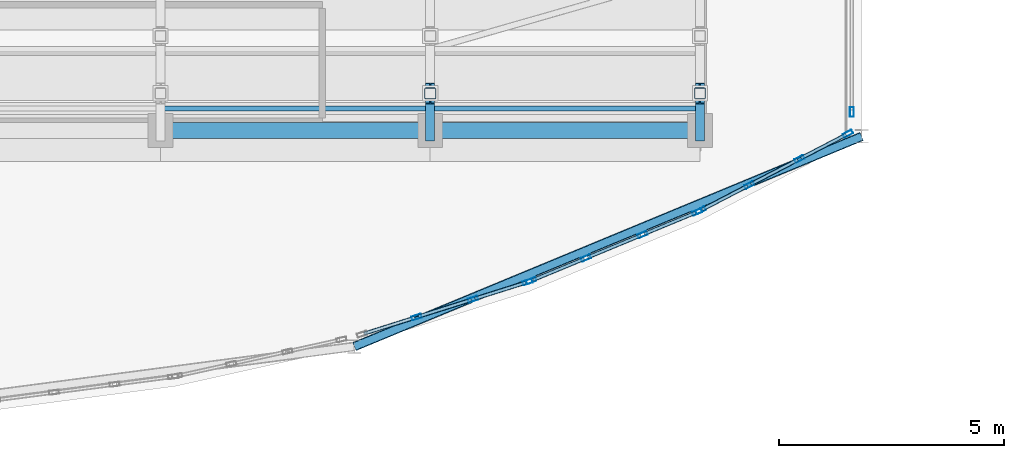
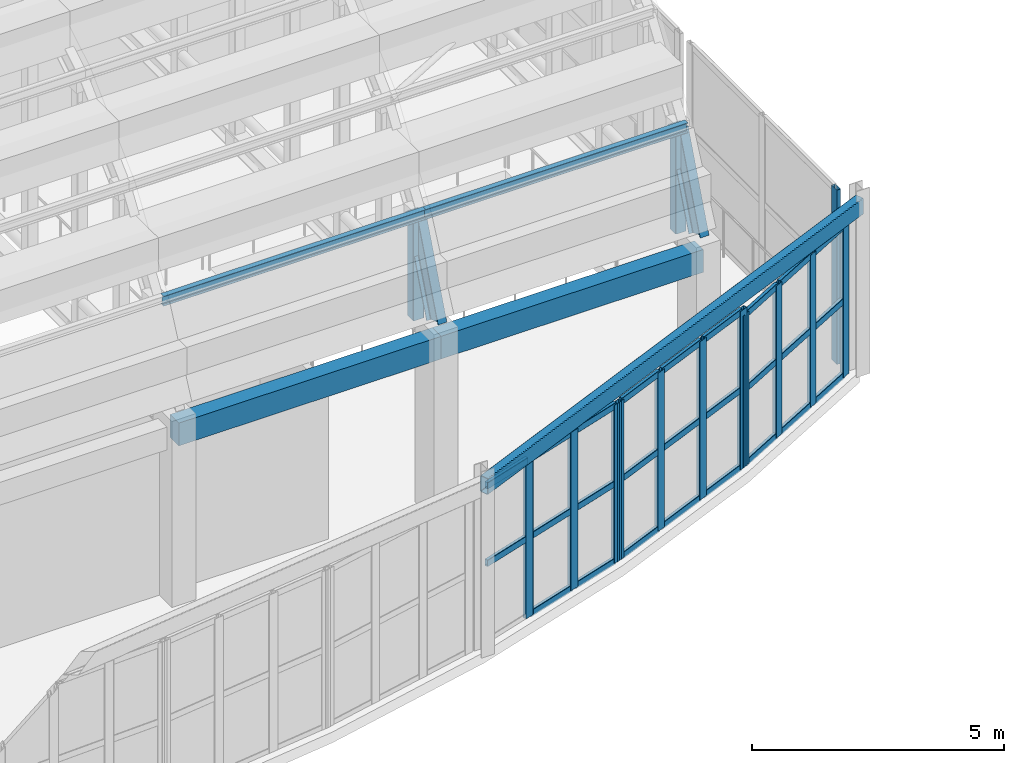
# One storey, part 11 of 91: 42 members, 5 beams, 4 elements without a shape of their own.
"""IFC4 building model written with IfcOpenShell, lengths in metres."""

import ifcopenshell
import ifcopenshell.guid

model = None  # the IFC model being written
_history = None  # IfcOwnerHistory: only IFC2X3 demands one
_inside = {}  # id of a spatial element -> (the spatial element, [elements in it])
_under = {}  # id of a project, library or spatial element -> (it, [spatial elements below it])
_declared = {}  # id of a project -> (the project, [libraries it declares])
_typed = {}  # id of a type object -> (the type object, [elements of that type])
_made_of = {}  # id of a material, layer set ... -> (it, [elements and type objects made of it])


def new_model(schema):
    """Start an empty IFC model of exactly this schema.

    Asked for "IFC4X3", IfcOpenShell would pick the latest addendum, in which some entities
    have other attributes; the version numbers below select the first issue.
    IFC2X3 requires an IfcOwnerHistory on every rooted entity: one is made here for all.
    """
    global model, _history
    if schema == "IFC4X3":
        model = ifcopenshell.file(schema_version=(4, 3, 0, 0))
    else:
        model = ifcopenshell.file(schema=schema)
    _inside.clear()
    _under.clear()
    _declared.clear()
    _typed.clear()
    _made_of.clear()
    _history = None
    if model.schema == "IFC2X3":
        org = make("IfcOrganization", Name="unknown")
        user = make(
            "IfcPersonAndOrganization",
            ThePerson=make("IfcPerson", FamilyName="unknown"),
            TheOrganization=org,
        )
        app = make(
            "IfcApplication",
            ApplicationDeveloper=org,
            Version="unknown",
            ApplicationFullName="unknown",
            ApplicationIdentifier="unknown",
        )
        _history = make(
            "IfcOwnerHistory",
            OwningUser=user,
            OwningApplication=app,
            ChangeAction="ADDED",
            CreationDate=0,
        )
    return model


def make(cls, **values):
    """One entity of the class cls with the attributes given. An attribute that is None is left unset."""
    return model.create_entity(
        cls, **{name: value for name, value in values.items() if value is not None}
    )


def rooted(cls, **values):
    """An entity with a GlobalId (a new one), such as an element, a storey or a relation."""
    return make(cls, GlobalId=ifcopenshell.guid.new(), OwnerHistory=_history, **values)


def si_unit(unit_type, name, prefix=None):
    """IfcSIUnit, for example si_unit("LENGTHUNIT", "METRE", prefix="MILLI")."""
    return make("IfcSIUnit", UnitType=unit_type, Prefix=prefix, Name=name)


def assignment(units):
    """IfcUnitAssignment: the units of a project."""
    return None if units is None else make("IfcUnitAssignment", Units=units)


def point(xyz):
    """IfcCartesianPoint."""
    return None if xyz is None else make("IfcCartesianPoint", Coordinates=xyz)


def direction(xyz):
    """IfcDirection."""
    return None if xyz is None else make("IfcDirection", DirectionRatios=xyz)


def frame(location, z_axis=None, x_axis=None):
    """IfcAxis2Placement3D, a coordinate frame: its origin and axes. An axis left out is left unset."""
    return make(
        "IfcAxis2Placement3D",
        Location=point(location),
        Axis=direction(z_axis),
        RefDirection=direction(x_axis),
    )


def frame_2d(location, x_axis=None):
    """IfcAxis2Placement2D, a coordinate frame in the plane: its origin and x axis."""
    return make(
        "IfcAxis2Placement2D", Location=point(location), RefDirection=direction(x_axis)
    )


def origin():
    """The frame at (0, 0, 0) with its axes left unset."""
    return frame((0.0, 0.0, 0.0))


def origin_2d():
    """The frame at (0, 0) in the plane with its x axis left unset."""
    return frame_2d((0.0, 0.0))


def place(relative_to, where):
    """IfcLocalPlacement: puts the frame where relative to a parent placement (None: the world)."""
    return make(
        "IfcLocalPlacement", PlacementRelTo=relative_to, RelativePlacement=where
    )


def context(
    kind, dimensions, precision=None, world=None, true_north=None, identifier=None
):
    """IfcGeometricRepresentationContext, for example the 3D "Model" context."""
    return make(
        "IfcGeometricRepresentationContext",
        ContextIdentifier=identifier,
        ContextType=kind,
        CoordinateSpaceDimension=dimensions,
        Precision=precision,
        WorldCoordinateSystem=world,
        TrueNorth=true_north,
    )


def subcontext(parent, identifier, kind, view, scale=None):
    """IfcGeometricRepresentationSubContext, for example "Body" below "Model"."""
    return make(
        "IfcGeometricRepresentationSubContext",
        ContextIdentifier=identifier,
        ContextType=kind,
        ParentContext=parent,
        TargetScale=scale,
        TargetView=view,
    )


def project(units=None, contexts=None):
    """IfcProject with its units and contexts."""
    return rooted(
        "IfcProject",
        Name="project",
        RepresentationContexts=contexts,
        UnitsInContext=assignment(units),
    )


def spatial(cls, under=None, at=None, **own):
    """A site, building, storey or space (cls), placed at a placement, below another one or the project."""
    s = rooted(cls, ObjectPlacement=at, **own)
    if under is not None:
        _under.setdefault(under.id(), (under, []))[1].append(s)
    return s


def profile(cls, at=None, kind="AREA", **sizes):
    """A parametric profile (cls). Its sizes go by their IFC names, for example OverallWidth=200.0."""
    return make(cls, ProfileType=kind, Position=at, **sizes)


def rectangle(**sizes):
    """IfcRectangleProfileDef."""
    return profile("IfcRectangleProfileDef", **sizes)


def hollow_rectangle(**sizes):
    """IfcRectangleHollowProfileDef."""
    return profile("IfcRectangleHollowProfileDef", **sizes)


def i_section(**sizes):
    """IfcIShapeProfileDef."""
    return profile("IfcIShapeProfileDef", **sizes)


def extrude(swept, where, along, depth):
    """IfcExtrudedAreaSolid: the profile swept, set in the frame where, extruded along a direction by depth."""
    return make(
        "IfcExtrudedAreaSolid",
        SweptArea=swept,
        Position=where,
        ExtrudedDirection=direction(along),
        Depth=depth,
    )


def shape(context_of_items, identifier, shape_type, items):
    """IfcShapeRepresentation: the items that make up one representation, for example the "Body"."""
    return make(
        "IfcShapeRepresentation",
        ContextOfItems=context_of_items,
        RepresentationIdentifier=identifier,
        RepresentationType=shape_type,
        Items=items,
    )


def material(Name=None, Category=None):
    """IfcMaterial."""
    return make("IfcMaterial", Name=Name, Category=Category)


def layer(
    of_material, thickness, ventilated=None, Name=None, Category=None, Priority=None
):
    """IfcMaterialLayer: one layer of a wall or slab, of a material (None: an air gap)."""
    return make(
        "IfcMaterialLayer",
        Material=of_material,
        LayerThickness=thickness,
        IsVentilated=ventilated,
        Name=Name,
        Category=Category,
        Priority=Priority,
    )


def layer_set(layers, Name=None):
    """IfcMaterialLayerSet."""
    return make("IfcMaterialLayerSet", MaterialLayers=layers, LayerSetName=Name)


def material_profile(
    of_material, cross_section, Name=None, Category=None, Priority=None
):
    """IfcMaterialProfile: a cross section and its material."""
    return make(
        "IfcMaterialProfile",
        Name=Name,
        Material=of_material,
        Profile=cross_section,
        Priority=Priority,
        Category=Category,
    )


def profile_set(profiles, Name=None, composite=None):
    """IfcMaterialProfileSet."""
    return make(
        "IfcMaterialProfileSet",
        Name=Name,
        MaterialProfiles=profiles,
        CompositeProfile=composite,
    )


def made_of(thing, what):
    """Note that an element or type object is made of a material, layer set ...; save() writes the relation."""
    if what is not None:
        _made_of.setdefault(what.id(), (what, []))[1].append(thing)
    return thing


def type_object(cls, material=None, **own):
    """A type object (cls), such as IfcWallType, which elements share."""
    return made_of(rooted(cls, **own), material)


def element(
    cls,
    number,
    at=None,
    inside=None,
    cuts=None,
    type_object=None,
    material=None,
    context=None,
    identifier="Body",
    shape_type=None,
    held_by="IfcProductDefinitionShape",
    body=None,
    shapes=None,
    **own,
):
    """One element of the class cls, such as IfcWall. Its Tag is "e" and its number.

    at: its placement. inside: the storey or other place that contains it. cuts: it is an
    opening in that element (IfcRelVoidsElement). A single representation is given by context,
    identifier, shape_type and body (its items); several are given by shapes. held_by: the class
    of the entity that holds the representations. save() writes the other relations.
    """
    e = rooted(cls, Tag="e%d" % number, ObjectPlacement=at, **own)
    if body is not None:
        shapes = [shape(context, identifier, shape_type, body)]
    if shapes is not None:
        e.Representation = make(held_by, Representations=shapes)
    if inside is not None:
        _inside.setdefault(inside.id(), (inside, []))[1].append(e)
    if cuts is not None:
        rooted(
            "IfcRelVoidsElement", RelatingBuildingElement=cuts, RelatedOpeningElement=e
        )
    if type_object is not None:
        _typed.setdefault(type_object.id(), (type_object, []))[1].append(e)
    return made_of(e, material)


def aggregate(whole, parts):
    """IfcRelAggregates: a whole, such as a stair, and the parts it consists of."""
    return rooted("IfcRelAggregates", RelatingObject=whole, RelatedObjects=parts)


def save(model, path):
    """Write the relations noted so far, then the file.

    IfcRelAggregates (storeys below a building ...), IfcRelContainedInSpatialStructure (elements
    in a storey), IfcRelDefinesByType, IfcRelAssociatesMaterial and IfcRelDeclares: one each for
    every whole, place, type object, material and project.
    """
    for whole, parts in _under.values():
        aggregate(whole, parts)
    for where, things in _inside.values():
        rooted(
            "IfcRelContainedInSpatialStructure",
            RelatedElements=things,
            RelatingStructure=where,
        )
    for kind, things in _typed.values():
        rooted("IfcRelDefinesByType", RelatedObjects=things, RelatingType=kind)
    for what, things in _made_of.values():
        rooted("IfcRelAssociatesMaterial", RelatedObjects=things, RelatingMaterial=what)
    for by, libraries in _declared.values():
        rooted("IfcRelDeclares", RelatingContext=by, RelatedDefinitions=libraries)
    model.write(path)


model = new_model("IFC4")

# Units and contexts
model_context = context("Model", 3, precision=1e-05, world=origin(), true_north=direction((0.0, 1.0)))
body_context = subcontext(model_context, "Body", "Model", "MODEL_VIEW")
ifc_project = project(units=[si_unit("LENGTHUNIT", "METRE"), si_unit("AREAUNIT", "SQUARE_METRE"), si_unit("VOLUMEUNIT", "CUBIC_METRE"), si_unit("PLANEANGLEUNIT", "RADIAN"), si_unit("MASSUNIT", "GRAM", prefix="KILO")], contexts=[model_context])

# Site, building, storey
site_placement = place(None, origin())
site = spatial("IfcSite", under=ifc_project, at=site_placement, CompositionType="ELEMENT")
building_placement = place(site_placement, origin())
building = spatial("IfcBuilding", under=site, at=building_placement, Name="Tarnavel Promenade Courthouse", CompositionType="ELEMENT")
storey_placement = place(building_placement, frame((0.0, 0.0, 9.89990234375)))
storey = spatial("IfcBuildingStorey", under=building, at=storey_placement, Name="L03", CompositionType="ELEMENT", Elevation=9.89990234375)

# Beams
ifc_material_1 = material(Name="Concrete C40/50", Category="concrete")
ifc_material_profile_1 = material_profile(ifc_material_1, rectangle(XDim=0.35009765625, YDim=0.550048828125, at=origin_2d()), Name="RC 350x550")
ifc_profile_set_1 = profile_set([ifc_material_profile_1], Name="Concrete C40/50")
beam_type_1 = type_object("IfcBeamType", Name="Concrete C40/50 BM-RC-350x550 (RC 350x550)", PredefinedType="BEAM", material=ifc_profile_set_1)
for number, where, z_axis, x_axis, name in (
    (1, (39.60009765625, 14.800048828125, 3.97021484375), (1.0, 0.0, 0.0), (0.0, 1.0, 0.0), "L03 Primary Longitudinal Beam 1538"),
    (2, (45.60009765625, 14.800048828125, 3.97021484375), (1.0, 0.0, 0.0), (0.0, 1.0, 0.0), "L03 Primary Longitudinal Beam 1539"),
):
    element("IfcBeam", number, at=place(storey_placement, frame(where, z_axis=z_axis, x_axis=x_axis)), inside=storey, type_object=beam_type_1, Name=name, PredefinedType="BEAM", context=body_context, shape_type="SweptSolid", body=[
        extrude(rectangle(XDim=0.35009765625, YDim=0.550048828125, at=origin_2d()), origin(), (0.0, 0.0, 1.0), 6.0),
    ])
ifc_material_2 = material(Name="Steel S355J2", Category="steel")
ifc_material_profile_2 = material_profile(ifc_material_2, i_section(OverallWidth=0.199951171875, OverallDepth=0.5, WebThickness=0.01025390625, FlangeThickness=0.01611328125, FilletRadius=0.02099609375, at=origin_2d()), Name="IPE 500")
ifc_profile_set_2 = profile_set([ifc_material_profile_2], Name="Steel S355J2")
beam_type_2 = type_object("IfcBeamType", Name="Steel S355J2 BM-AR-IPE500 (IPE 500)", PredefinedType="T_BEAM", material=ifc_profile_set_2)
for number, where, z_axis, x_axis, name in (
    (3, (45.60009765625, 14.800048828125, 4.5), (0.0, 0.359973594692, 0.93296249181), (-1.0, 0.0, 0.0), "V4 Barrel Vault Arch Rib 07 Chord 01"),
    (4, (51.60009765625, 14.800048828125, 4.5), (0.0, 0.359973594692, 0.93296249181), (-1.0, 0.0, 0.0), "V4 Barrel Vault Arch Rib 08 Chord 01"),
):
    element("IfcBeam", number, at=place(storey_placement, frame(where, z_axis=z_axis, x_axis=x_axis)), inside=storey, type_object=beam_type_2, Name=name, PredefinedType="T_BEAM", context=body_context, shape_type="SweptSolid", body=[
        extrude(i_section(OverallWidth=0.199951171875, OverallDepth=0.5, WebThickness=0.01025390625, FlangeThickness=0.01611328125, FilletRadius=0.02099609375, at=origin_2d()), origin(), (0.0, 0.0, 1.0), 2.302490234375),
    ])
ifc_material_profile_3 = material_profile(ifc_material_2, hollow_rectangle(XDim=0.199951171875, YDim=0.39990234375, WallThickness=0.01416015625, InnerFilletRadius=0.013916015625, OuterFilletRadius=0.028076171875, at=origin_2d()), Name="RHS 400x200x14.2")
ifc_profile_set_3 = profile_set([ifc_material_profile_3], Name="Steel S355J2")
beam_type_3 = type_object("IfcBeamType", Name="Steel S355J2 BM-ST-RHS400 (RHS 400x200x14.2)", PredefinedType="SPANDREL", material=ifc_profile_set_3)
beam_placement = place(storey_placement, frame((43.91259765625, 9.99462890625, 4.045166015625), z_axis=(0.923881903753, 0.38267770763, 0.0), x_axis=(-0.38267770763, 0.923881903753, 0.0)))
element("IfcBeam", 5, at=beam_placement, inside=storey, type_object=beam_type_3, Name="L03 Public Drum Ring Beam 1979", PredefinedType="SPANDREL", context=body_context, shape_type="SweptSolid", body=[
    extrude(hollow_rectangle(XDim=0.199951171875, YDim=0.39990234375, WallThickness=0.01416015625, InnerFilletRadius=0.013916015625, OuterFilletRadius=0.028076171875, at=origin_2d()), origin(), (0.0, 0.0, 1.0), 12.21728515625),
])

# Members
ifc_material_profile_4 = material_profile(ifc_material_2, i_section(OverallWidth=0.1201171875, OverallDepth=0.239990234375, WebThickness=0.006103515625, FlangeThickness=0.009765625, FilletRadius=0.014892578125, at=origin_2d()), Name="IPE 240")
ifc_profile_set_4 = profile_set([ifc_material_profile_4], Name="Steel S355J2")
member_type_1 = type_object("IfcMemberType", Name="Steel S355J2 MEM-PUR-IPE240 (IPE 240)", PredefinedType="PURLIN", material=ifc_profile_set_4)
for number, where, z_axis, x_axis, name in (
    (6, (39.60009765625, 15.291259765625, 6.822998046875), (1.0, 0.0, 0.0), (0.0, 1.0, 0.0), "V4 Barrel Vault Purlin 06-01"),
    (7, (45.60009765625, 15.291259765625, 6.822998046875), (1.0, 0.0, 0.0), (0.0, 1.0, 0.0), "V4 Barrel Vault Purlin 07-01"),
):
    element("IfcMember", number, at=place(storey_placement, frame(where, z_axis=z_axis, x_axis=x_axis)), inside=storey, type_object=member_type_1, Name=name, PredefinedType="PURLIN", context=body_context, shape_type="SweptSolid", body=[
        extrude(i_section(OverallWidth=0.1201171875, OverallDepth=0.239990234375, WebThickness=0.006103515625, FlangeThickness=0.009765625, FilletRadius=0.014892578125, at=origin_2d()), origin(), (0.0, 0.0, 1.0), 6.0),
    ])
ifc_material_profile_5 = material_profile(ifc_material_2, hollow_rectangle(XDim=0.25, YDim=0.25, WallThickness=0.012451171875, InnerFilletRadius=0.012451171875, OuterFilletRadius=0.02490234375, at=origin_2d()), Name="SHS 250x250x12.5")
ifc_profile_set_5 = profile_set([ifc_material_profile_5], Name="Steel S355J2")
member_type_2 = type_object("IfcMemberType", Name="Steel S355J2 MEM-STR-SHS250 (SHS 250x250x12.5)", PredefinedType="STRUT", material=ifc_profile_set_5)
for number, where, z_axis, x_axis, name in (
    (8, (45.60009765625, 15.62890625, 4.1201171875), (0.0, 0.0, 1.0), (1.0, 0.0, 0.0), "V4 Vault Arch Web Strut 07-01"),
    (9, (51.60009765625, 15.62890625, 4.1201171875), (0.0, 0.0, 1.0), (1.0, 0.0, 0.0), "V4 Vault Arch Web Strut 08-01"),
):
    element("IfcMember", number, at=place(storey_placement, frame(where, z_axis=z_axis, x_axis=x_axis)), inside=storey, type_object=member_type_2, Name=name, PredefinedType="STRUT", context=body_context, shape_type="SweptSolid", body=[
        extrude(hollow_rectangle(XDim=0.25, YDim=0.25, WallThickness=0.012451171875, InnerFilletRadius=0.012451171875, OuterFilletRadius=0.02490234375, at=origin_2d()), origin(), (0.0, 0.0, 1.0), 2.528076171875),
    ])

# Curtain wall, members
ifc_material_3 = material(Name="Thermally Broken Anodised Aluminium Curtain Wall System", Category="aluminium")
ifc_layer = layer(ifc_material_3, 0.219970703125)
ifc_layer_set = layer_set([ifc_layer], Name="Thermally Broken Anodised Aluminium Curtain Wall System")
curtain_wall_type = type_object("IfcCurtainWallType", Name="Thermally Broken Aluminium Triple-Glazed Curtain Wall CW-DRUM", PredefinedType="NOTDEFINED", material=ifc_layer_set)
curtain_wall_1_placement = place(storey_placement, origin())
curtain_wall_1 = element("IfcCurtainWall", 10, at=curtain_wall_1_placement, inside=storey, type_object=curtain_wall_type, Name="L03 Public Hall Drum Curtain Wall 036", PredefinedType="NOTDEFINED")
ifc_material_4 = material(Name="Thermally Broken Anodised Aluminium Frame", Category="aluminium")
ifc_material_profile_6 = material_profile(ifc_material_4, hollow_rectangle(XDim=0.090087890625, YDim=0.219970703125, WallThickness=0.0048828125, InnerFilletRadius=0.0048828125, OuterFilletRadius=0.010009765625, at=origin_2d()), Name="CWM 220x90x5")
ifc_profile_set_6 = profile_set([ifc_material_profile_6], Name="Thermally Broken Anodised Aluminium Frame")
member_type_3 = type_object("IfcMemberType", Name="Thermally Broken Anodised Aluminium CWM-175 (CWM 220x90x5)", PredefinedType="MULLION", material=ifc_profile_set_6)
member_1_placement = place(storey_placement, frame((45.295654296875, 10.650634765625, 0.0), z_axis=(0.0, 0.0, 1.0), x_axis=(-0.300705340521, 0.953717095465, 0.0)))
member_1 = element("IfcMember", 11, at=member_1_placement, type_object=member_type_3, Name="CW-01 mullion 2", PredefinedType="MULLION", context=body_context, shape_type="SweptSolid", body=[
    extrude(hollow_rectangle(XDim=0.090087890625, YDim=0.219970703125, WallThickness=0.0048828125, InnerFilletRadius=0.0048828125, OuterFilletRadius=0.010009765625, at=origin_2d()), origin(), (0.0, 0.0, 1.0), 3.830078125),
])
member_2_placement = place(storey_placement, frame((46.551025390625, 11.046630859375, 0.0), z_axis=(0.0, 0.0, 1.0), x_axis=(-0.300705340521, 0.953717095465, 0.0)))
member_2 = element("IfcMember", 12, at=member_2_placement, type_object=member_type_3, Name="CW-01 mullion 3", PredefinedType="MULLION", context=body_context, shape_type="SweptSolid", body=[
    extrude(hollow_rectangle(XDim=0.090087890625, YDim=0.219970703125, WallThickness=0.0048828125, InnerFilletRadius=0.0048828125, OuterFilletRadius=0.010009765625, at=origin_2d()), origin(), (0.0, 0.0, 1.0), 3.830078125),
])
member_3_placement = place(storey_placement, frame((47.763671875, 11.428955078125, 0.0), z_axis=(0.0, 0.0, 1.0), x_axis=(-0.300705340521, 0.953717095465, 0.0)))
member_3 = element("IfcMember", 13, at=member_3_placement, type_object=member_type_3, Name="CW-01 mullion 4", PredefinedType="MULLION", context=body_context, shape_type="SweptSolid", body=[
    extrude(hollow_rectangle(XDim=0.090087890625, YDim=0.219970703125, WallThickness=0.0048828125, InnerFilletRadius=0.0048828125, OuterFilletRadius=0.010009765625, at=origin_2d()), origin(), (0.0, 0.0, 1.0), 3.830078125),
])

curtain_wall_2_placement = place(storey_placement, origin())
curtain_wall_2 = element("IfcCurtainWall", 14, at=curtain_wall_2_placement, inside=storey, type_object=curtain_wall_type, Name="L03 Public Hall Drum Curtain Wall 037", PredefinedType="NOTDEFINED")
member_4_placement = place(storey_placement, frame((47.84814453125, 11.459716796875, 0.0), z_axis=(0.0, 0.0, 1.0), x_axis=(-0.382684779296, 0.923878974593, 0.0)))
member_4 = element("IfcMember", 15, at=member_4_placement, type_object=member_type_3, Name="CW-01 mullion 1", PredefinedType="MULLION", context=body_context, shape_type="SweptSolid", body=[
    extrude(hollow_rectangle(XDim=0.090087890625, YDim=0.219970703125, WallThickness=0.0048828125, InnerFilletRadius=0.0048828125, OuterFilletRadius=0.010009765625, at=origin_2d()), origin(), (0.0, 0.0, 1.0), 3.830078125),
])
member_5_placement = place(storey_placement, frame((49.06396484375, 11.963134765625, 0.0), z_axis=(0.0, 0.0, 1.0), x_axis=(-0.382684779296, 0.923878974593, 0.0)))
member_5 = element("IfcMember", 16, at=member_5_placement, type_object=member_type_3, Name="CW-01 mullion 2", PredefinedType="MULLION", context=body_context, shape_type="SweptSolid", body=[
    extrude(hollow_rectangle(XDim=0.090087890625, YDim=0.219970703125, WallThickness=0.0048828125, InnerFilletRadius=0.0048828125, OuterFilletRadius=0.010009765625, at=origin_2d()), origin(), (0.0, 0.0, 1.0), 3.830078125),
])
member_6_placement = place(storey_placement, frame((50.3212890625, 12.48388671875, 0.0), z_axis=(0.0, 0.0, 1.0), x_axis=(-0.382684779296, 0.923878974593, 0.0)))
member_6 = element("IfcMember", 17, at=member_6_placement, type_object=member_type_3, Name="CW-01 mullion 3", PredefinedType="MULLION", context=body_context, shape_type="SweptSolid", body=[
    extrude(hollow_rectangle(XDim=0.090087890625, YDim=0.219970703125, WallThickness=0.0048828125, InnerFilletRadius=0.0048828125, OuterFilletRadius=0.010009765625, at=origin_2d()), origin(), (0.0, 0.0, 1.0), 3.830078125),
])
member_7_placement = place(storey_placement, frame((51.536865234375, 12.987548828125, 0.0), z_axis=(0.0, 0.0, 1.0), x_axis=(-0.382684779296, 0.923878974593, 0.0)))
member_7 = element("IfcMember", 18, at=member_7_placement, type_object=member_type_3, Name="CW-01 mullion 4", PredefinedType="MULLION", context=body_context, shape_type="SweptSolid", body=[
    extrude(hollow_rectangle(XDim=0.090087890625, YDim=0.219970703125, WallThickness=0.0048828125, InnerFilletRadius=0.0048828125, OuterFilletRadius=0.010009765625, at=origin_2d()), origin(), (0.0, 0.0, 1.0), 3.830078125),
])

curtain_wall_3_placement = place(storey_placement, origin())
curtain_wall_3 = element("IfcCurtainWall", 19, at=curtain_wall_3_placement, inside=storey, type_object=curtain_wall_type, Name="L03 Public Hall Drum Curtain Wall 038", PredefinedType="NOTDEFINED")
member_8_placement = place(storey_placement, frame((51.618408203125, 13.025634765625, 0.0), z_axis=(0.0, 0.0, 1.0), x_axis=(-0.461747394054, 0.887011467842, 0.0)))
member_8 = element("IfcMember", 20, at=member_8_placement, type_object=member_type_3, Name="CW-01 mullion 1", PredefinedType="MULLION", context=body_context, shape_type="SweptSolid", body=[
    extrude(hollow_rectangle(XDim=0.090087890625, YDim=0.219970703125, WallThickness=0.0048828125, InnerFilletRadius=0.0048828125, OuterFilletRadius=0.010009765625, at=origin_2d()), origin(), (0.0, 0.0, 1.0), 3.68017578125),
])
member_9_placement = place(storey_placement, frame((52.696533203125, 13.586669921875, 0.0), z_axis=(0.0, 0.0, 1.0), x_axis=(-0.461747394054, 0.887011467842, 0.0)))
member_9 = element("IfcMember", 21, at=member_9_placement, type_object=member_type_3, Name="CW-01 mullion 2", PredefinedType="MULLION", context=body_context, shape_type="SweptSolid", body=[
    extrude(hollow_rectangle(XDim=0.090087890625, YDim=0.219970703125, WallThickness=0.0048828125, InnerFilletRadius=0.0048828125, OuterFilletRadius=0.010009765625, at=origin_2d()), origin(), (0.0, 0.0, 1.0), 3.68017578125),
])
member_10_placement = place(storey_placement, frame((53.814453125, 14.168701171875, 0.0), z_axis=(0.0, 0.0, 1.0), x_axis=(-0.461747394054, 0.887011467842, 0.0)))
member_10 = element("IfcMember", 22, at=member_10_placement, type_object=member_type_3, Name="CW-01 mullion 3", PredefinedType="MULLION", context=body_context, shape_type="SweptSolid", body=[
    extrude(hollow_rectangle(XDim=0.090087890625, YDim=0.219970703125, WallThickness=0.0048828125, InnerFilletRadius=0.0048828125, OuterFilletRadius=0.010009765625, at=origin_2d()), origin(), (0.0, 0.0, 1.0), 3.68017578125),
])
member_11_placement = place(storey_placement, frame((54.892578125, 14.72998046875, 0.0), z_axis=(0.0, 0.0, 1.0), x_axis=(-0.461747394054, 0.887011467842, 0.0)))
member_11 = element("IfcMember", 23, at=member_11_placement, type_object=member_type_3, Name="CW-01 mullion 4", PredefinedType="MULLION", context=body_context, shape_type="SweptSolid", body=[
    extrude(hollow_rectangle(XDim=0.090087890625, YDim=0.219970703125, WallThickness=0.0048828125, InnerFilletRadius=0.0048828125, OuterFilletRadius=0.010009765625, at=origin_2d()), origin(), (0.0, 0.0, 1.0), 3.68017578125),
])

# Curtain wall, member
curtain_wall_4_placement = place(storey_placement, origin())
curtain_wall_4 = element("IfcCurtainWall", 24, at=curtain_wall_4_placement, inside=storey, type_object=curtain_wall_type, Name="L03 Public Drum East Return Curtain Wall 039", PredefinedType="NOTDEFINED")
member_12_placement = place(storey_placement, frame((54.97998046875, 15.215087890625, 0.0), z_axis=(0.0, 0.0, 1.0), x_axis=(-1.0, 0.0, 0.0)))
member_12 = element("IfcMember", 25, at=member_12_placement, type_object=member_type_3, Name="CW-01 mullion 1", PredefinedType="MULLION", context=body_context, shape_type="SweptSolid", body=[
    extrude(hollow_rectangle(XDim=0.090087890625, YDim=0.219970703125, WallThickness=0.0048828125, InnerFilletRadius=0.0048828125, OuterFilletRadius=0.010009765625, at=origin_2d()), origin(), (0.0, 0.0, 1.0), 4.22021484375),
])
aggregate(curtain_wall_4, [member_12])

# Member
ifc_material_profile_7 = material_profile(ifc_material_4, hollow_rectangle(XDim=0.080078125, YDim=0.159912109375, WallThickness=0.0048828125, InnerFilletRadius=0.0048828125, OuterFilletRadius=0.010009765625, at=origin_2d()), Name="CWT 160x80x5")
ifc_profile_set_7 = profile_set([ifc_material_profile_7], Name="Thermally Broken Anodised Aluminium Frame")
member_type_4 = type_object("IfcMemberType", Name="Thermally Broken Anodised Aluminium CWT-145 (CWT 160x80x5)", PredefinedType="USERDEFINED", material=ifc_profile_set_7)
member_13_placement = place(storey_placement, frame((44.126220703125, 10.281982421875, 1.9150390625), z_axis=(0.953723109008, 0.300686267304, 0.0), x_axis=(-0.300686267304, 0.953723109008, 0.0)))
member_13 = element("IfcMember", 26, at=member_13_placement, type_object=member_type_4, Name="CW-01 transom 1.2", ObjectType="TRANSOM", PredefinedType="USERDEFINED", context=body_context, shape_type="SweptSolid", body=[
    extrude(hollow_rectangle(XDim=0.080078125, YDim=0.159912109375, WallThickness=0.0048828125, InnerFilletRadius=0.0048828125, OuterFilletRadius=0.010009765625, at=origin_2d()), origin(), (0.0, 0.0, 1.0), 1.181396484375),
])

member_14_placement = place(storey_placement, frame((44.126220703125, 10.281982421875, 3.7900390625), z_axis=(0.953723109008, 0.300686267304, 0.0), x_axis=(-0.300686267304, 0.953723109008, 0.0)))
member_14 = element("IfcMember", 27, at=member_14_placement, type_object=member_type_4, Name="CW-01 transom 1.3", ObjectType="TRANSOM", PredefinedType="USERDEFINED", context=body_context, shape_type="SweptSolid", body=[
    extrude(hollow_rectangle(XDim=0.080078125, YDim=0.159912109375, WallThickness=0.0048828125, InnerFilletRadius=0.0048828125, OuterFilletRadius=0.010009765625, at=origin_2d()), origin(), (0.0, 0.0, 1.0), 1.181396484375),
])

member_15_placement = place(storey_placement, frame((45.338623046875, 10.664306640625, 0.0400390625), z_axis=(0.953750999467, 0.300597789438, 0.0), x_axis=(-0.300597789438, 0.953750999467, 0.0)))
member_15 = element("IfcMember", 28, at=member_15_placement, type_object=member_type_4, Name="CW-01 transom 2.1", ObjectType="TRANSOM", PredefinedType="USERDEFINED", context=body_context, shape_type="SweptSolid", body=[
    extrude(hollow_rectangle(XDim=0.080078125, YDim=0.159912109375, WallThickness=0.0048828125, InnerFilletRadius=0.0048828125, OuterFilletRadius=0.010009765625, at=origin_2d()), origin(), (0.0, 0.0, 1.0), 1.226318359375),
])

member_16_placement = place(storey_placement, frame((45.338623046875, 10.664306640625, 1.9150390625), z_axis=(0.953750999467, 0.300597789438, 0.0), x_axis=(-0.300597789438, 0.953750999467, 0.0)))
member_16 = element("IfcMember", 29, at=member_16_placement, type_object=member_type_4, Name="CW-01 transom 2.2", ObjectType="TRANSOM", PredefinedType="USERDEFINED", context=body_context, shape_type="SweptSolid", body=[
    extrude(hollow_rectangle(XDim=0.080078125, YDim=0.159912109375, WallThickness=0.0048828125, InnerFilletRadius=0.0048828125, OuterFilletRadius=0.010009765625, at=origin_2d()), origin(), (0.0, 0.0, 1.0), 1.226318359375),
])

member_17_placement = place(storey_placement, frame((45.338623046875, 10.664306640625, 3.7900390625), z_axis=(0.953750999467, 0.300597789438, 0.0), x_axis=(-0.300597789438, 0.953750999467, 0.0)))
member_17 = element("IfcMember", 30, at=member_17_placement, type_object=member_type_4, Name="CW-01 transom 2.3", ObjectType="TRANSOM", PredefinedType="USERDEFINED", context=body_context, shape_type="SweptSolid", body=[
    extrude(hollow_rectangle(XDim=0.080078125, YDim=0.159912109375, WallThickness=0.0048828125, InnerFilletRadius=0.0048828125, OuterFilletRadius=0.010009765625, at=origin_2d()), origin(), (0.0, 0.0, 1.0), 1.226318359375),
])

member_18_placement = place(storey_placement, frame((46.593994140625, 11.06005859375, 0.0400390625), z_axis=(0.953723109008, 0.300686267304, 0.0), x_axis=(-0.300686267304, 0.953723109008, 0.0)))
member_18 = element("IfcMember", 31, at=member_18_placement, type_object=member_type_4, Name="CW-01 transom 3.1", ObjectType="TRANSOM", PredefinedType="USERDEFINED", context=body_context, shape_type="SweptSolid", body=[
    extrude(hollow_rectangle(XDim=0.080078125, YDim=0.159912109375, WallThickness=0.0048828125, InnerFilletRadius=0.0048828125, OuterFilletRadius=0.010009765625, at=origin_2d()), origin(), (0.0, 0.0, 1.0), 1.181396484375),
])

member_19_placement = place(storey_placement, frame((46.593994140625, 11.06005859375, 1.9150390625), z_axis=(0.953723109008, 0.300686267304, 0.0), x_axis=(-0.300686267304, 0.953723109008, 0.0)))
member_19 = element("IfcMember", 32, at=member_19_placement, type_object=member_type_4, Name="CW-01 transom 3.2", ObjectType="TRANSOM", PredefinedType="USERDEFINED", context=body_context, shape_type="SweptSolid", body=[
    extrude(hollow_rectangle(XDim=0.080078125, YDim=0.159912109375, WallThickness=0.0048828125, InnerFilletRadius=0.0048828125, OuterFilletRadius=0.010009765625, at=origin_2d()), origin(), (0.0, 0.0, 1.0), 1.181396484375),
])

member_20_placement = place(storey_placement, frame((46.593994140625, 11.06005859375, 3.7900390625), z_axis=(0.953723109008, 0.300686267304, 0.0), x_axis=(-0.300686267304, 0.953723109008, 0.0)))
member_20 = element("IfcMember", 33, at=member_20_placement, type_object=member_type_4, Name="CW-01 transom 3.3", ObjectType="TRANSOM", PredefinedType="USERDEFINED", context=body_context, shape_type="SweptSolid", body=[
    extrude(hollow_rectangle(XDim=0.080078125, YDim=0.159912109375, WallThickness=0.0048828125, InnerFilletRadius=0.0048828125, OuterFilletRadius=0.010009765625, at=origin_2d()), origin(), (0.0, 0.0, 1.0), 1.181396484375),
])

aggregate(curtain_wall_1, [member_1, member_2, member_3, member_13, member_14, member_15, member_16, member_17, member_18, member_19, member_20])

member_21_placement = place(storey_placement, frame((47.8896484375, 11.476806640625, 0.0400390625), z_axis=(0.923846909596, 0.382762181557, 0.0), x_axis=(-0.382762181557, 0.923846909596, 0.0)))
member_21 = element("IfcMember", 34, at=member_21_placement, type_object=member_type_4, Name="CW-01 transom 1.1", ObjectType="TRANSOM", PredefinedType="USERDEFINED", context=body_context, shape_type="SweptSolid", body=[
    extrude(hollow_rectangle(XDim=0.080078125, YDim=0.159912109375, WallThickness=0.0048828125, InnerFilletRadius=0.0048828125, OuterFilletRadius=0.010009765625, at=origin_2d()), origin(), (0.0, 0.0, 1.0), 1.225830078125),
])

member_22_placement = place(storey_placement, frame((47.8896484375, 11.476806640625, 1.9150390625), z_axis=(0.923846909596, 0.382762181557, 0.0), x_axis=(-0.382762181557, 0.923846909596, 0.0)))
member_22 = element("IfcMember", 35, at=member_22_placement, type_object=member_type_4, Name="CW-01 transom 1.2", ObjectType="TRANSOM", PredefinedType="USERDEFINED", context=body_context, shape_type="SweptSolid", body=[
    extrude(hollow_rectangle(XDim=0.080078125, YDim=0.159912109375, WallThickness=0.0048828125, InnerFilletRadius=0.0048828125, OuterFilletRadius=0.010009765625, at=origin_2d()), origin(), (0.0, 0.0, 1.0), 1.225830078125),
])

member_23_placement = place(storey_placement, frame((47.8896484375, 11.476806640625, 3.7900390625), z_axis=(0.923846909596, 0.382762181557, 0.0), x_axis=(-0.382762181557, 0.923846909596, 0.0)))
member_23 = element("IfcMember", 36, at=member_23_placement, type_object=member_type_4, Name="CW-01 transom 1.3", ObjectType="TRANSOM", PredefinedType="USERDEFINED", context=body_context, shape_type="SweptSolid", body=[
    extrude(hollow_rectangle(XDim=0.080078125, YDim=0.159912109375, WallThickness=0.0048828125, InnerFilletRadius=0.0048828125, OuterFilletRadius=0.010009765625, at=origin_2d()), origin(), (0.0, 0.0, 1.0), 1.225830078125),
])

member_24_placement = place(storey_placement, frame((49.10546875, 11.98046875, 0.0400390625), z_axis=(0.923876341576, 0.382691135874, 0.0), x_axis=(-0.382691135874, 0.923876341576, 0.0)))
member_24 = element("IfcMember", 37, at=member_24_placement, type_object=member_type_4, Name="CW-01 transom 2.1", ObjectType="TRANSOM", PredefinedType="USERDEFINED", context=body_context, shape_type="SweptSolid", body=[
    extrude(hollow_rectangle(XDim=0.080078125, YDim=0.159912109375, WallThickness=0.0048828125, InnerFilletRadius=0.0048828125, OuterFilletRadius=0.010009765625, at=origin_2d()), origin(), (0.0, 0.0, 1.0), 1.270751953125),
])

member_25_placement = place(storey_placement, frame((49.10546875, 11.98046875, 1.9150390625), z_axis=(0.923876341576, 0.382691135874, 0.0), x_axis=(-0.382691135874, 0.923876341576, 0.0)))
member_25 = element("IfcMember", 38, at=member_25_placement, type_object=member_type_4, Name="CW-01 transom 2.2", ObjectType="TRANSOM", PredefinedType="USERDEFINED", context=body_context, shape_type="SweptSolid", body=[
    extrude(hollow_rectangle(XDim=0.080078125, YDim=0.159912109375, WallThickness=0.0048828125, InnerFilletRadius=0.0048828125, OuterFilletRadius=0.010009765625, at=origin_2d()), origin(), (0.0, 0.0, 1.0), 1.270751953125),
])

member_26_placement = place(storey_placement, frame((49.10546875, 11.98046875, 3.7900390625), z_axis=(0.923876341576, 0.382691135874, 0.0), x_axis=(-0.382691135874, 0.923876341576, 0.0)))
member_26 = element("IfcMember", 39, at=member_26_placement, type_object=member_type_4, Name="CW-01 transom 2.3", ObjectType="TRANSOM", PredefinedType="USERDEFINED", context=body_context, shape_type="SweptSolid", body=[
    extrude(hollow_rectangle(XDim=0.080078125, YDim=0.159912109375, WallThickness=0.0048828125, InnerFilletRadius=0.0048828125, OuterFilletRadius=0.010009765625, at=origin_2d()), origin(), (0.0, 0.0, 1.0), 1.270751953125),
])

member_27_placement = place(storey_placement, frame((50.36279296875, 12.501220703125, 0.0400390625), z_axis=(0.923846909596, 0.382762181557, 0.0), x_axis=(-0.382762181557, 0.923846909596, 0.0)))
member_27 = element("IfcMember", 40, at=member_27_placement, type_object=member_type_4, Name="CW-01 transom 3.1", ObjectType="TRANSOM", PredefinedType="USERDEFINED", context=body_context, shape_type="SweptSolid", body=[
    extrude(hollow_rectangle(XDim=0.080078125, YDim=0.159912109375, WallThickness=0.0048828125, InnerFilletRadius=0.0048828125, OuterFilletRadius=0.010009765625, at=origin_2d()), origin(), (0.0, 0.0, 1.0), 1.225830078125),
])

member_28_placement = place(storey_placement, frame((50.36279296875, 12.501220703125, 1.9150390625), z_axis=(0.923846909596, 0.382762181557, 0.0), x_axis=(-0.382762181557, 0.923846909596, 0.0)))
member_28 = element("IfcMember", 41, at=member_28_placement, type_object=member_type_4, Name="CW-01 transom 3.2", ObjectType="TRANSOM", PredefinedType="USERDEFINED", context=body_context, shape_type="SweptSolid", body=[
    extrude(hollow_rectangle(XDim=0.080078125, YDim=0.159912109375, WallThickness=0.0048828125, InnerFilletRadius=0.0048828125, OuterFilletRadius=0.010009765625, at=origin_2d()), origin(), (0.0, 0.0, 1.0), 1.225830078125),
])

member_29_placement = place(storey_placement, frame((50.36279296875, 12.501220703125, 3.7900390625), z_axis=(0.923846909596, 0.382762181557, 0.0), x_axis=(-0.382762181557, 0.923846909596, 0.0)))
member_29 = element("IfcMember", 42, at=member_29_placement, type_object=member_type_4, Name="CW-01 transom 3.3", ObjectType="TRANSOM", PredefinedType="USERDEFINED", context=body_context, shape_type="SweptSolid", body=[
    extrude(hollow_rectangle(XDim=0.080078125, YDim=0.159912109375, WallThickness=0.0048828125, InnerFilletRadius=0.0048828125, OuterFilletRadius=0.010009765625, at=origin_2d()), origin(), (0.0, 0.0, 1.0), 1.225830078125),
])

aggregate(curtain_wall_2, [member_4, member_5, member_6, member_7, member_21, member_22, member_23, member_24, member_25, member_26, member_27, member_28, member_29])

member_30_placement = place(storey_placement, frame((51.658447265625, 13.04638671875, 0.0400390625), z_axis=(0.887017774073, 0.461735279655, 0.0), x_axis=(-0.461735279655, 0.887017774073, 0.0)))
member_30 = element("IfcMember", 43, at=member_30_placement, type_object=member_type_4, Name="CW-01 transom 1.1", ObjectType="TRANSOM", PredefinedType="USERDEFINED", context=body_context, shape_type="SweptSolid", body=[
    extrude(hollow_rectangle(XDim=0.080078125, YDim=0.159912109375, WallThickness=0.0048828125, InnerFilletRadius=0.0048828125, OuterFilletRadius=0.010009765625, at=origin_2d()), origin(), (0.0, 0.0, 1.0), 1.125244140625),
])

member_31_placement = place(storey_placement, frame((51.658447265625, 13.04638671875, 1.840087890625), z_axis=(0.887017774073, 0.461735279655, 0.0), x_axis=(-0.461735279655, 0.887017774073, 0.0)))
member_31 = element("IfcMember", 44, at=member_31_placement, type_object=member_type_4, Name="CW-01 transom 1.2", ObjectType="TRANSOM", PredefinedType="USERDEFINED", context=body_context, shape_type="SweptSolid", body=[
    extrude(hollow_rectangle(XDim=0.080078125, YDim=0.159912109375, WallThickness=0.0048828125, InnerFilletRadius=0.0048828125, OuterFilletRadius=0.010009765625, at=origin_2d()), origin(), (0.0, 0.0, 1.0), 1.125244140625),
])

member_32_placement = place(storey_placement, frame((51.658447265625, 13.04638671875, 3.64013671875), z_axis=(0.887017774073, 0.461735279655, 0.0), x_axis=(-0.461735279655, 0.887017774073, 0.0)))
member_32 = element("IfcMember", 45, at=member_32_placement, type_object=member_type_4, Name="CW-01 transom 1.3", ObjectType="TRANSOM", PredefinedType="USERDEFINED", context=body_context, shape_type="SweptSolid", body=[
    extrude(hollow_rectangle(XDim=0.080078125, YDim=0.159912109375, WallThickness=0.0048828125, InnerFilletRadius=0.0048828125, OuterFilletRadius=0.010009765625, at=origin_2d()), origin(), (0.0, 0.0, 1.0), 1.125244140625),
])

member_33_placement = place(storey_placement, frame((52.736328125, 13.607666015625, 0.0400390625), z_axis=(0.887093827945, 0.461589146777, 0.0), x_axis=(-0.461589146777, 0.887093827945, 0.0)))
member_33 = element("IfcMember", 46, at=member_33_placement, type_object=member_type_4, Name="CW-01 transom 2.1", ObjectType="TRANSOM", PredefinedType="USERDEFINED", context=body_context, shape_type="SweptSolid", body=[
    extrude(hollow_rectangle(XDim=0.080078125, YDim=0.159912109375, WallThickness=0.0048828125, InnerFilletRadius=0.0048828125, OuterFilletRadius=0.010009765625, at=origin_2d()), origin(), (0.0, 0.0, 1.0), 1.17041015625),
])

member_34_placement = place(storey_placement, frame((52.736328125, 13.607666015625, 1.840087890625), z_axis=(0.887093827945, 0.461589146777, 0.0), x_axis=(-0.461589146777, 0.887093827945, 0.0)))
member_34 = element("IfcMember", 47, at=member_34_placement, type_object=member_type_4, Name="CW-01 transom 2.2", ObjectType="TRANSOM", PredefinedType="USERDEFINED", context=body_context, shape_type="SweptSolid", body=[
    extrude(hollow_rectangle(XDim=0.080078125, YDim=0.159912109375, WallThickness=0.0048828125, InnerFilletRadius=0.0048828125, OuterFilletRadius=0.010009765625, at=origin_2d()), origin(), (0.0, 0.0, 1.0), 1.17041015625),
])

member_35_placement = place(storey_placement, frame((52.736328125, 13.607666015625, 3.64013671875), z_axis=(0.887093827945, 0.461589146777, 0.0), x_axis=(-0.461589146777, 0.887093827945, 0.0)))
member_35 = element("IfcMember", 48, at=member_35_placement, type_object=member_type_4, Name="CW-01 transom 2.3", ObjectType="TRANSOM", PredefinedType="USERDEFINED", context=body_context, shape_type="SweptSolid", body=[
    extrude(hollow_rectangle(XDim=0.080078125, YDim=0.159912109375, WallThickness=0.0048828125, InnerFilletRadius=0.0048828125, OuterFilletRadius=0.010009765625, at=origin_2d()), origin(), (0.0, 0.0, 1.0), 1.17041015625),
])

member_36_placement = place(storey_placement, frame((53.8544921875, 14.189453125, 0.0400390625), z_axis=(0.886928898264, 0.461905974658, 0.0), x_axis=(-0.461905974658, 0.886928898264, 0.0)))
member_36 = element("IfcMember", 49, at=member_36_placement, type_object=member_type_4, Name="CW-01 transom 3.1", ObjectType="TRANSOM", PredefinedType="USERDEFINED", context=body_context, shape_type="SweptSolid", body=[
    extrude(hollow_rectangle(XDim=0.080078125, YDim=0.159912109375, WallThickness=0.0048828125, InnerFilletRadius=0.0048828125, OuterFilletRadius=0.010009765625, at=origin_2d()), origin(), (0.0, 0.0, 1.0), 1.125244140625),
])

member_37_placement = place(storey_placement, frame((53.8544921875, 14.189453125, 1.840087890625), z_axis=(0.886928898264, 0.461905974658, 0.0), x_axis=(-0.461905974658, 0.886928898264, 0.0)))
member_37 = element("IfcMember", 50, at=member_37_placement, type_object=member_type_4, Name="CW-01 transom 3.2", ObjectType="TRANSOM", PredefinedType="USERDEFINED", context=body_context, shape_type="SweptSolid", body=[
    extrude(hollow_rectangle(XDim=0.080078125, YDim=0.159912109375, WallThickness=0.0048828125, InnerFilletRadius=0.0048828125, OuterFilletRadius=0.010009765625, at=origin_2d()), origin(), (0.0, 0.0, 1.0), 1.125244140625),
])

member_38_placement = place(storey_placement, frame((53.8544921875, 14.189453125, 3.64013671875), z_axis=(0.886928898264, 0.461905974658, 0.0), x_axis=(-0.461905974658, 0.886928898264, 0.0)))
member_38 = element("IfcMember", 51, at=member_38_placement, type_object=member_type_4, Name="CW-01 transom 3.3", ObjectType="TRANSOM", PredefinedType="USERDEFINED", context=body_context, shape_type="SweptSolid", body=[
    extrude(hollow_rectangle(XDim=0.080078125, YDim=0.159912109375, WallThickness=0.0048828125, InnerFilletRadius=0.0048828125, OuterFilletRadius=0.010009765625, at=origin_2d()), origin(), (0.0, 0.0, 1.0), 1.125244140625),
])

aggregate(curtain_wall_3, [member_8, member_9, member_10, member_11, member_30, member_31, member_32, member_33, member_34, member_35, member_36, member_37, member_38])

save(model, "model.ifc")
